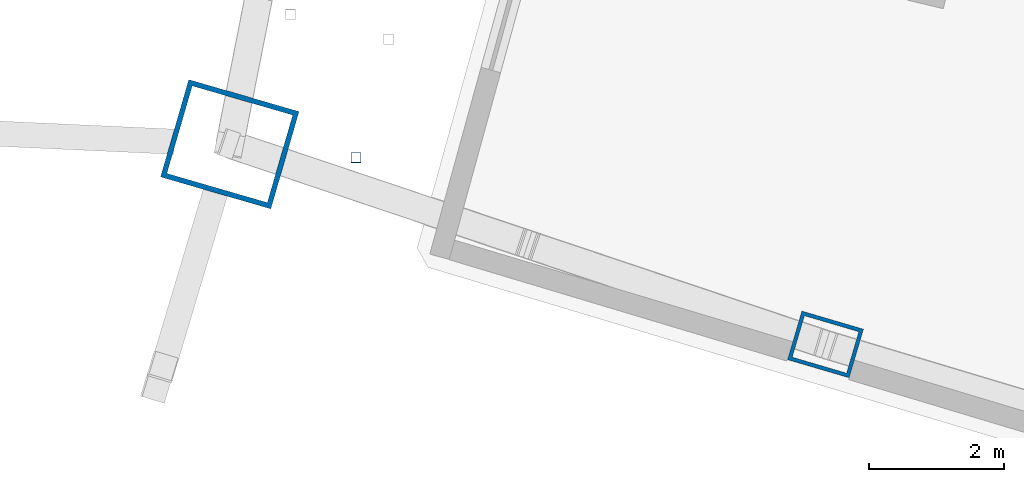
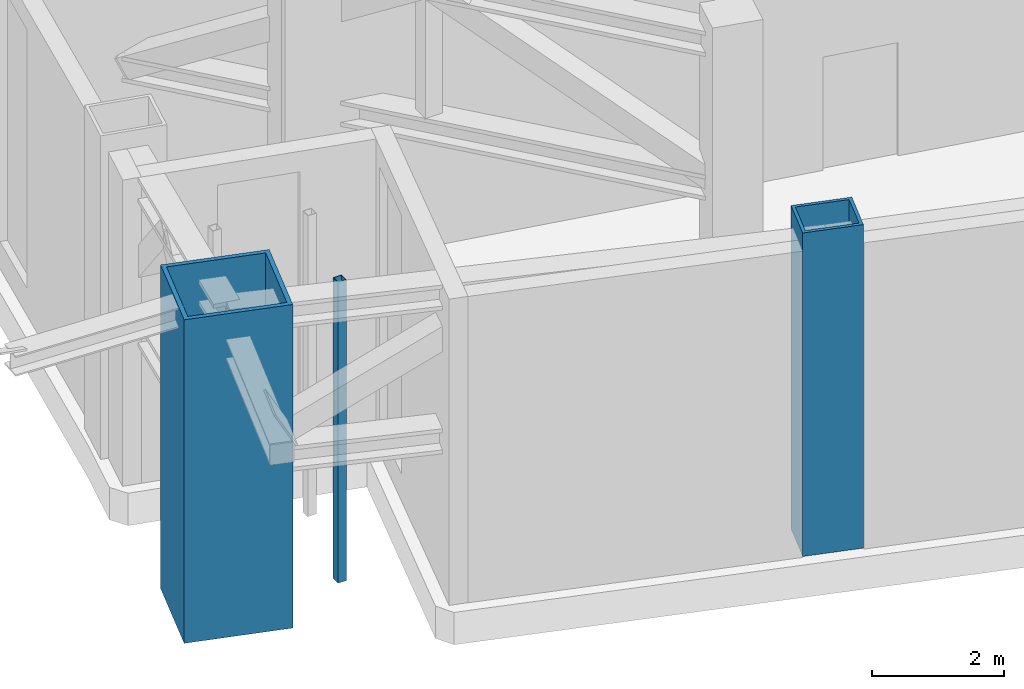
# One storey, part 1 of 23: 3 columns.
"""IFC4 building model written with IfcOpenShell, lengths in metres."""

from ifc_helpers import new_model, si_unit, direction, frame, origin, origin_2d, place, context, subcontext, project, spatial, hollow_rectangle, extrude, material, material_profile, profile_set, type_object, element, save


model = new_model("IFC4")

# Units and contexts
model_context = context("Model", 3, precision=1e-05, world=origin(), true_north=direction((0.0, 1.0)))
body_context = subcontext(model_context, "Body", "Model", "MODEL_VIEW")
ifc_project = project(units=[si_unit("LENGTHUNIT", "METRE"), si_unit("AREAUNIT", "SQUARE_METRE"), si_unit("VOLUMEUNIT", "CUBIC_METRE"), si_unit("PLANEANGLEUNIT", "RADIAN"), si_unit("MASSUNIT", "GRAM", prefix="KILO")], contexts=[model_context])

# Site, building, storey
site_placement = place(None, origin())
site = spatial("IfcSite", under=ifc_project, at=site_placement, CompositionType="ELEMENT")
building_placement = place(site_placement, origin())
building = spatial("IfcBuilding", under=site, at=building_placement, Name="Alderwake Tower", CompositionType="ELEMENT")
storey_placement = place(building_placement, frame((0.0, 0.0, 239.60009765625)))
storey = spatial("IfcBuildingStorey", under=building, at=storey_placement, Name="L59", CompositionType="ELEMENT", Elevation=239.60009765625)

# Columns
ifc_material_1 = material(Name="Steel ASTM A572 Grade 50 concrete filled C70/85", Category="concrete")
ifc_material_profile_1 = material_profile(ifc_material_1, hollow_rectangle(XDim=0.75, YDim=0.949951171875, WallThickness=0.054931640625, at=origin_2d()), Name="BOX 950X750X55")
ifc_profile_set_1 = profile_set([ifc_material_profile_1], Name="Steel ASTM A572 Grade 50 concrete filled C70/85")
column_type_1 = type_object("IfcColumnType", Name="End column Z4", PredefinedType="COLUMN", material=ifc_profile_set_1)
column_1_placement = place(storey_placement, frame((21.885498046875, 31.03759765625, 0.0), z_axis=(0.0, 0.0, 1.0), x_axis=(0.282132160283, 0.95937554906, 0.0)))
element("IfcColumn", 1, at=column_1_placement, inside=storey, type_object=column_type_1, Name="Column R02-C1", PredefinedType="COLUMN", context=body_context, shape_type="SweptSolid", body=[
    extrude(hollow_rectangle(XDim=0.75, YDim=0.949951171875, WallThickness=0.054931640625, at=origin_2d()), origin(), (0.0, 0.0, 1.0), 6.0),
])
ifc_material_2 = material(Name="Steel ASTM A500 Grade C", Category="steel")
ifc_material_profile_2 = material_profile(ifc_material_2, hollow_rectangle(XDim=0.15234375, YDim=0.15234375, WallThickness=0.0087890625, at=origin_2d()), Name="HSS6X6X3/8")
ifc_profile_set_2 = profile_set([ifc_material_profile_2], Name="Steel ASTM A500 Grade C")
column_type_2 = type_object("IfcColumnType", Name="Light post HSS6X6X3/8", PredefinedType="COLUMN", material=ifc_profile_set_2)
column_2_placement = place(storey_placement, frame((14.93115234375, 33.803955078125, 0.0), z_axis=(0.0, 0.0, 1.0), x_axis=(1.0, 0.0, 0.0)))
element("IfcColumn", 2, at=column_2_placement, inside=storey, type_object=column_type_2, Name="Terrace post RS2", PredefinedType="COLUMN", context=body_context, shape_type="SweptSolid", body=[
    extrude(hollow_rectangle(XDim=0.15234375, YDim=0.15234375, WallThickness=0.0087890625, at=origin_2d()), origin(), (0.0, 0.0, 1.0), 5.579833984375),
])
ifc_material_3 = material(Name="Steel ASTM A572 Grade 50 concrete filled C70/85", Category="concrete")
ifc_material_profile_3 = material_profile(ifc_material_3, hollow_rectangle(XDim=1.5, YDim=1.699951171875, WallThickness=0.074951171875, at=origin_2d()), Name="BOX 1700X1500X75")
ifc_profile_set_3 = profile_set([ifc_material_profile_3], Name="Steel ASTM A572 Grade 50 concrete filled C70/85")
column_type_3 = type_object("IfcColumnType", Name="Mega column Z4", PredefinedType="COLUMN", material=ifc_profile_set_3)
column_3_placement = place(storey_placement, frame((13.06298828125, 34.00244140625, 0.0), z_axis=(0.0, 0.0, 1.0), x_axis=(0.278612301868, 0.960403657452, 0.0)))
element("IfcColumn", 3, at=column_3_placement, inside=storey, type_object=column_type_3, Name="Column R02-C0", PredefinedType="COLUMN", context=body_context, shape_type="SweptSolid", body=[
    extrude(hollow_rectangle(XDim=1.5, YDim=1.699951171875, WallThickness=0.074951171875, at=origin_2d()), origin(), (0.0, 0.0, 1.0), 6.0),
])

save(model, "model.ifc")
